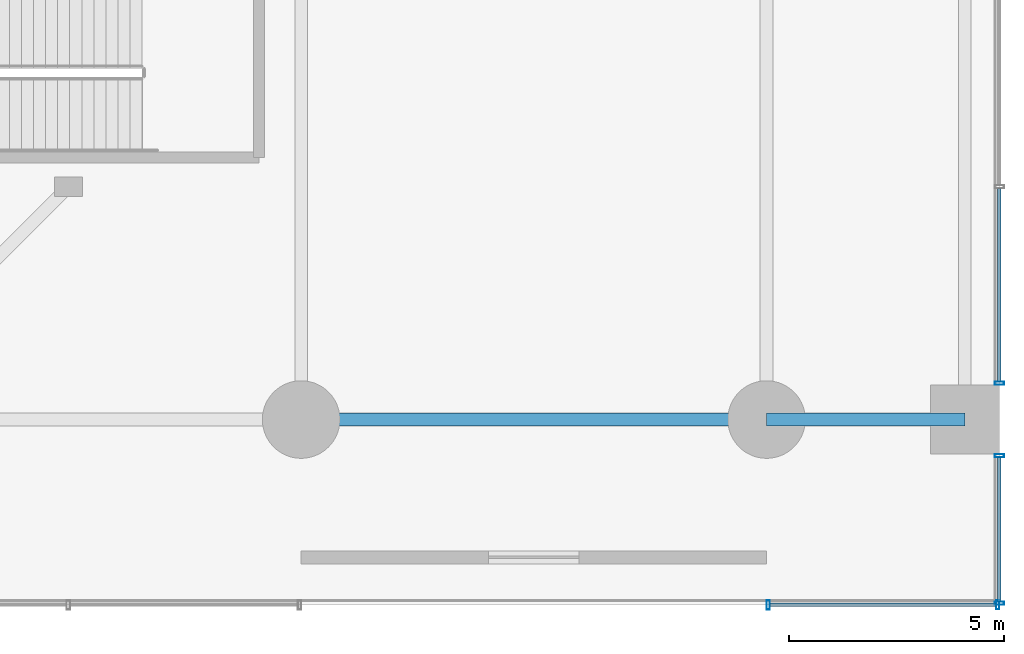
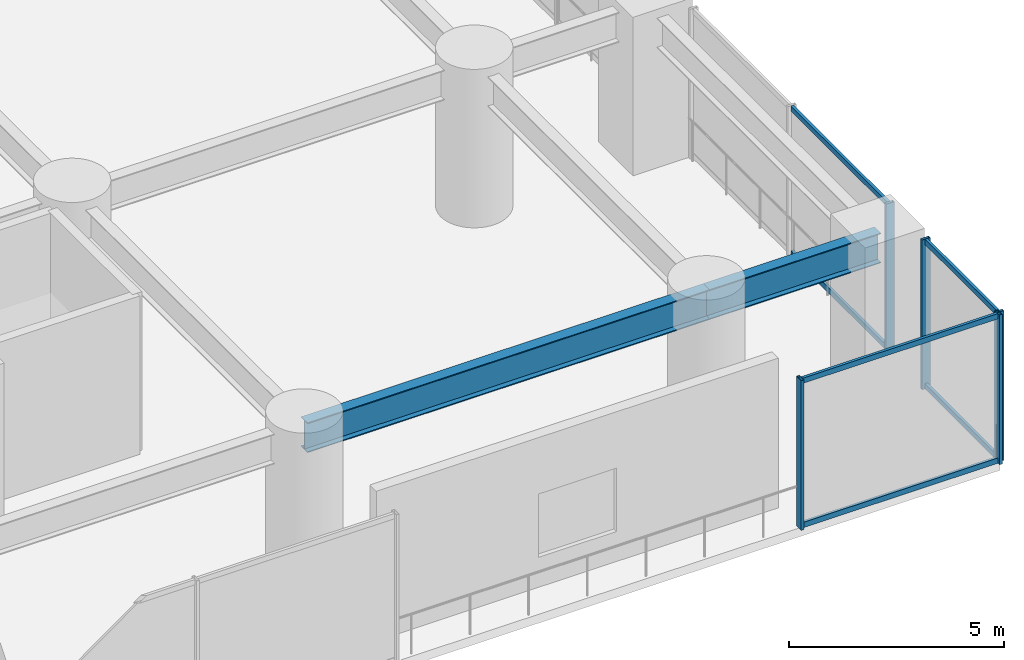
# One storey, part 18 of 36: 11 members, 2 beams, 3 elements without a shape of their own.
"""IFC4 building model written with IfcOpenShell, lengths in metres."""

from ifc_helpers import new_model, si_unit, direction, frame, origin, origin_2d, place, context, subcontext, project, spatial, hollow_rectangle, i_section, extrude, material, layer, layer_set, material_profile, profile_set, type_object, element, aggregate, save


model = new_model("IFC4")

# Units and contexts
model_context = context("Model", 3, precision=1e-05, world=origin(), true_north=direction((0.0, 1.0)))
body_context = subcontext(model_context, "Body", "Model", "MODEL_VIEW")
ifc_project = project(units=[si_unit("LENGTHUNIT", "METRE"), si_unit("AREAUNIT", "SQUARE_METRE"), si_unit("VOLUMEUNIT", "CUBIC_METRE"), si_unit("PLANEANGLEUNIT", "RADIAN"), si_unit("MASSUNIT", "GRAM", prefix="KILO")], contexts=[model_context])

# Site, building, storey
site_placement = place(None, origin())
site = spatial("IfcSite", under=ifc_project, at=site_placement, CompositionType="ELEMENT")
building_placement = place(site_placement, origin())
building = spatial("IfcBuilding", under=site, at=building_placement, Name="Surkhivell Harbour Commons", CompositionType="ELEMENT")
storey_placement = place(building_placement, frame((0.0, 0.0, 9.0)))
storey = spatial("IfcBuildingStorey", under=building, at=storey_placement, Name="L02", CompositionType="ELEMENT", Elevation=9.0)

# Beams
ifc_material_1 = material(Name="Steel S460", Category="steel")
ifc_material_profile_1 = material_profile(ifc_material_1, i_section(OverallWidth=0.2939453125, OverallDepth=0.85107421875, WebThickness=0.01611328125, FlangeThickness=0.02685546875, at=origin_2d()), Name="UB838x292x226")
ifc_profile_set_1 = profile_set([ifc_material_profile_1], Name="Steel S460")
beam_type = type_object("IfcBeamType", Name="BM-SPN-838", PredefinedType="SPANDREL", material=ifc_profile_set_1)
beam_1_placement = place(storey_placement, frame((21.60009765625, -21.60009765625, 3.824462890625), z_axis=(1.0, 0.0, 0.0), x_axis=(0.0, 1.0, 0.0)))
element("IfcBeam", 1, at=beam_1_placement, inside=storey, type_object=beam_type, Name="L02 Framing Beam (21.6,-21.6)", PredefinedType="SPANDREL", context=body_context, shape_type="SweptSolid", body=[
    extrude(i_section(OverallWidth=0.2939453125, OverallDepth=0.85107421875, WebThickness=0.01611328125, FlangeThickness=0.02685546875, at=origin_2d()), origin(), (0.0, 0.0, 1.0), 10.7998046875),
])
beam_2_placement = place(storey_placement, frame((32.39990234375, -21.60009765625, 3.824462890625), z_axis=(1.0, 0.0, 0.0), x_axis=(0.0, 1.0, 0.0)))
element("IfcBeam", 2, at=beam_2_placement, inside=storey, type_object=beam_type, Name="L02 Framing Beam (32.4,-21.6)", PredefinedType="SPANDREL", context=body_context, shape_type="SweptSolid", body=[
    extrude(i_section(OverallWidth=0.2939453125, OverallDepth=0.85107421875, WebThickness=0.01611328125, FlangeThickness=0.02685546875, at=origin_2d()), origin(), (0.0, 0.0, 1.0), 4.60009765625),
])

# Curtain wall, members
ifc_material_2 = material(Name="Anodised pale-metal aluminium and insulated glazing", Category="aluminium")
ifc_layer = layer(ifc_material_2, 0.239990234375)
ifc_layer_set = layer_set([ifc_layer], Name="Anodised pale-metal aluminium and insulated glazing")
curtain_wall_type = type_object("IfcCurtainWallType", Name="CW-SYS-POD", PredefinedType="NOTDEFINED", material=ifc_layer_set)
curtain_wall_1_placement = place(storey_placement, origin())
curtain_wall_1 = element("IfcCurtainWall", 3, at=curtain_wall_1_placement, inside=storey, type_object=curtain_wall_type, Name="L02 Curtain Wall CW-L02-S8", PredefinedType="NOTDEFINED")
ifc_material_3 = material(Name="Anodised pale-metal aluminium alloy 6063-T6", Category="aluminium")
ifc_material_profile_2 = material_profile(ifc_material_3, hollow_rectangle(XDim=0.074951171875, YDim=0.219970703125, WallThickness=0.00390625, at=origin_2d()), Name="ALU-MULL-75x220")
ifc_profile_set_2 = profile_set([ifc_material_profile_2], Name="Anodised pale-metal aluminium alloy 6063-T6")
member_type_1 = type_object("IfcMemberType", Name="CWM-220", PredefinedType="MULLION", material=ifc_profile_set_2)
member_1_placement = place(storey_placement, frame((37.762451171875, -25.89990234375, 0.0), z_axis=(0.0, 0.0, 1.0), x_axis=(-1.0, 0.0, 0.0)))
member_1 = element("IfcMember", 4, at=member_1_placement, type_object=member_type_1, Name="CW-POD mullion 1", PredefinedType="MULLION", context=body_context, shape_type="SweptSolid", body=[
    extrude(hollow_rectangle(XDim=0.074951171875, YDim=0.219970703125, WallThickness=0.00390625, at=origin_2d()), origin(), (0.0, 0.0, 1.0), 4.25),
])
member_2_placement = place(storey_placement, frame((32.4375, -25.89990234375, 0.0), z_axis=(0.0, 0.0, 1.0), x_axis=(-1.0, 0.0, 0.0)))
member_2 = element("IfcMember", 5, at=member_2_placement, type_object=member_type_1, Name="CW-POD mullion 2", PredefinedType="MULLION", context=body_context, shape_type="SweptSolid", body=[
    extrude(hollow_rectangle(XDim=0.074951171875, YDim=0.219970703125, WallThickness=0.00390625, at=origin_2d()), origin(), (0.0, 0.0, 1.0), 4.25),
])

curtain_wall_2_placement = place(storey_placement, origin())
curtain_wall_2 = element("IfcCurtainWall", 6, at=curtain_wall_2_placement, inside=storey, type_object=curtain_wall_type, Name="L02 Curtain Wall CW-L02-E1", PredefinedType="NOTDEFINED")
member_3_placement = place(storey_placement, frame((37.800048828125, -22.439453125, 0.0), z_axis=(0.0, 0.0, 1.0), x_axis=(0.0, -1.0, 0.0)))
member_3 = element("IfcMember", 7, at=member_3_placement, type_object=member_type_1, Name="CW-POD mullion 1", PredefinedType="MULLION", context=body_context, shape_type="SweptSolid", body=[
    extrude(hollow_rectangle(XDim=0.074951171875, YDim=0.219970703125, WallThickness=0.00390625, at=origin_2d()), origin(), (0.0, 0.0, 1.0), 4.25),
])
member_4_placement = place(storey_placement, frame((37.800048828125, -25.862548828125, 0.0), z_axis=(0.0, 0.0, 1.0), x_axis=(0.0, -1.0, 0.0)))
member_4 = element("IfcMember", 8, at=member_4_placement, type_object=member_type_1, Name="CW-POD mullion 2", PredefinedType="MULLION", context=body_context, shape_type="SweptSolid", body=[
    extrude(hollow_rectangle(XDim=0.074951171875, YDim=0.219970703125, WallThickness=0.00390625, at=origin_2d()), origin(), (0.0, 0.0, 1.0), 4.25),
])

# Curtain wall, member
curtain_wall_3_placement = place(storey_placement, origin())
curtain_wall_3 = element("IfcCurtainWall", 9, at=curtain_wall_3_placement, inside=storey, type_object=curtain_wall_type, Name="L02 Curtain Wall CW-L02-E2", PredefinedType="NOTDEFINED")
member_5_placement = place(storey_placement, frame((37.800048828125, -20.760498046875, 0.0), z_axis=(0.0, 0.0, 1.0), x_axis=(0.0, -1.0, 0.0)))
member_5 = element("IfcMember", 10, at=member_5_placement, type_object=member_type_1, Name="CW-POD mullion 3", PredefinedType="MULLION", context=body_context, shape_type="SweptSolid", body=[
    extrude(hollow_rectangle(XDim=0.074951171875, YDim=0.219970703125, WallThickness=0.00390625, at=origin_2d()), origin(), (0.0, 0.0, 1.0), 4.25),
])

# Member
ifc_material_profile_3 = material_profile(ifc_material_3, hollow_rectangle(XDim=0.074951171875, YDim=0.14990234375, WallThickness=0.00341796875, at=origin_2d()), Name="ALU-TRAN-75x150")
ifc_profile_set_3 = profile_set([ifc_material_profile_3], Name="Anodised pale-metal aluminium alloy 6063-T6")
member_type_2 = type_object("IfcMemberType", Name="CWT-150", PredefinedType="USERDEFINED", material=ifc_profile_set_3)
member_6_placement = place(storey_placement, frame((37.72509765625, -25.89990234375, 0.074951171875), z_axis=(-1.0, 0.0, 0.0), x_axis=(0.0, -1.0, 0.0)))
member_6 = element("IfcMember", 11, at=member_6_placement, type_object=member_type_2, Name="CW-POD transom 1.1", ObjectType="TRANSOM", PredefinedType="USERDEFINED", context=body_context, shape_type="SweptSolid", body=[
    extrude(hollow_rectangle(XDim=0.074951171875, YDim=0.14990234375, WallThickness=0.00341796875, at=origin_2d()), origin(), (0.0, 0.0, 1.0), 5.25),
])

member_7_placement = place(storey_placement, frame((37.72509765625, -25.89990234375, 4.175048828125), z_axis=(-1.0, 0.0, 0.0), x_axis=(0.0, -1.0, 0.0)))
member_7 = element("IfcMember", 12, at=member_7_placement, type_object=member_type_2, Name="CW-POD transom 1.2", ObjectType="TRANSOM", PredefinedType="USERDEFINED", context=body_context, shape_type="SweptSolid", body=[
    extrude(hollow_rectangle(XDim=0.074951171875, YDim=0.14990234375, WallThickness=0.00341796875, at=origin_2d()), origin(), (0.0, 0.0, 1.0), 5.25),
])

aggregate(curtain_wall_1, [member_1, member_2, member_6, member_7])

member_8_placement = place(storey_placement, frame((37.800048828125, -22.47705078125, 0.074951171875), z_axis=(0.0, -1.0, 0.0), x_axis=(1.0, 0.0, 0.0)))
member_8 = element("IfcMember", 13, at=member_8_placement, type_object=member_type_2, Name="CW-POD transom 1.1", ObjectType="TRANSOM", PredefinedType="USERDEFINED", context=body_context, shape_type="SweptSolid", body=[
    extrude(hollow_rectangle(XDim=0.074951171875, YDim=0.14990234375, WallThickness=0.00341796875, at=origin_2d()), origin(), (0.0, 0.0, 1.0), 3.347900390625),
])

member_9_placement = place(storey_placement, frame((37.800048828125, -22.47705078125, 4.175048828125), z_axis=(0.0, -1.0, 0.0), x_axis=(1.0, 0.0, 0.0)))
member_9 = element("IfcMember", 14, at=member_9_placement, type_object=member_type_2, Name="CW-POD transom 1.2", ObjectType="TRANSOM", PredefinedType="USERDEFINED", context=body_context, shape_type="SweptSolid", body=[
    extrude(hollow_rectangle(XDim=0.074951171875, YDim=0.14990234375, WallThickness=0.00341796875, at=origin_2d()), origin(), (0.0, 0.0, 1.0), 3.347900390625),
])

aggregate(curtain_wall_2, [member_3, member_4, member_8, member_9])

member_10_placement = place(storey_placement, frame((37.800048828125, -16.237548828125, 0.074951171875), z_axis=(0.0, -1.0, 0.0), x_axis=(1.0, 0.0, 0.0)))
member_10 = element("IfcMember", 15, at=member_10_placement, type_object=member_type_2, Name="CW-POD transom 2.1", ObjectType="TRANSOM", PredefinedType="USERDEFINED", context=body_context, shape_type="SweptSolid", body=[
    extrude(hollow_rectangle(XDim=0.074951171875, YDim=0.14990234375, WallThickness=0.00341796875, at=origin_2d()), origin(), (0.0, 0.0, 1.0), 4.4853515625),
])

member_11_placement = place(storey_placement, frame((37.800048828125, -16.237548828125, 4.175048828125), z_axis=(0.0, -1.0, 0.0), x_axis=(1.0, 0.0, 0.0)))
member_11 = element("IfcMember", 16, at=member_11_placement, type_object=member_type_2, Name="CW-POD transom 2.2", ObjectType="TRANSOM", PredefinedType="USERDEFINED", context=body_context, shape_type="SweptSolid", body=[
    extrude(hollow_rectangle(XDim=0.074951171875, YDim=0.14990234375, WallThickness=0.00341796875, at=origin_2d()), origin(), (0.0, 0.0, 1.0), 4.4853515625),
])

aggregate(curtain_wall_3, [member_5, member_10, member_11])

save(model, "model.ifc")
